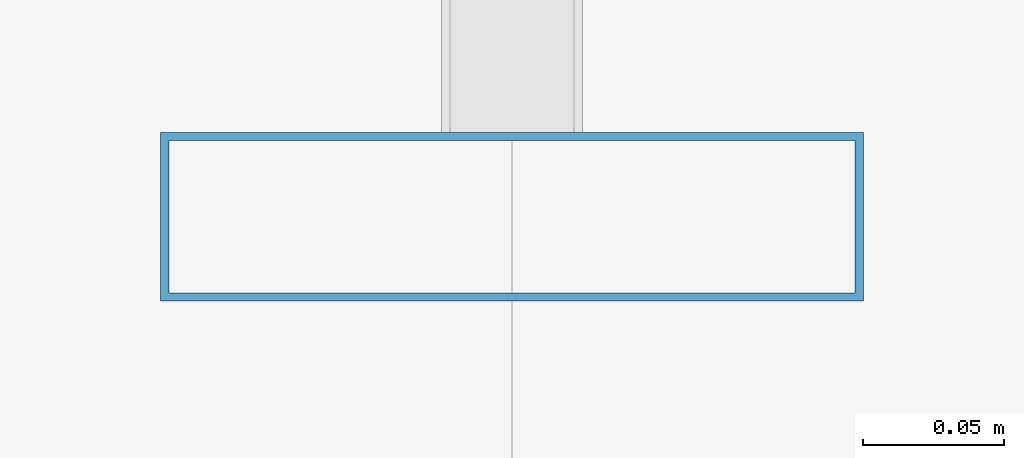
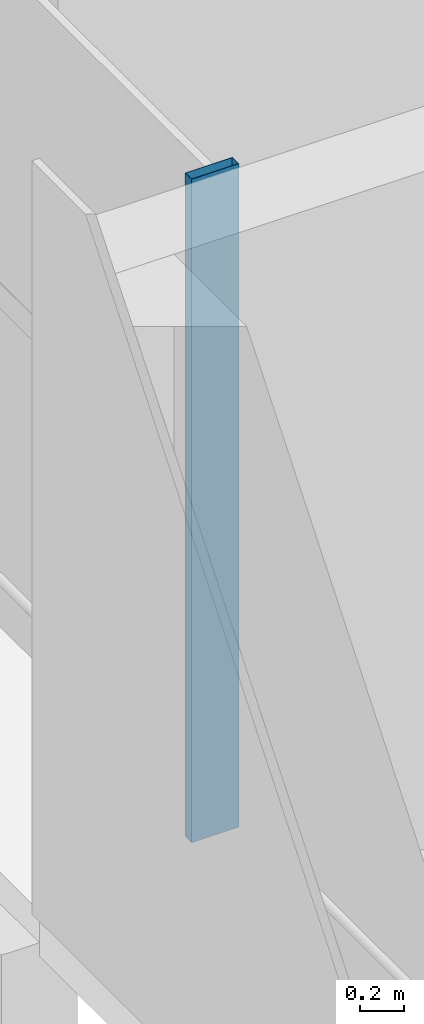
# One storey, part 7 of 17: 1 member, 1 element without a shape of its own.
"""IFC4 building model written with IfcOpenShell, lengths in metres."""

from ifc_helpers import new_model, si_unit, direction, frame, origin, origin_2d, place, context, subcontext, project, spatial, hollow_rectangle, extrude, material, material_profile, profile_set, type_object, element, aggregate, save


model = new_model("IFC4")

# Units and contexts
model_context = context("Model", 3, precision=1e-05, world=origin(), true_north=direction((0.0, 1.0)))
body_context = subcontext(model_context, "Body", "Model", "MODEL_VIEW")
ifc_project = project(units=[si_unit("LENGTHUNIT", "METRE"), si_unit("AREAUNIT", "SQUARE_METRE"), si_unit("VOLUMEUNIT", "CUBIC_METRE"), si_unit("PLANEANGLEUNIT", "RADIAN"), si_unit("MASSUNIT", "GRAM", prefix="KILO")], contexts=[model_context])

# Site, building, storey
site_placement = place(None, origin())
site = spatial("IfcSite", under=ifc_project, at=site_placement, CompositionType="ELEMENT")
building_placement = place(site_placement, origin())
building = spatial("IfcBuilding", under=site, at=building_placement, Name="Altepetl Exchange Towers", CompositionType="ELEMENT")
storey_placement = place(building_placement, frame((0.0, 0.0, 251.0)))
storey = spatial("IfcBuildingStorey", under=building, at=storey_placement, Name="L64", CompositionType="ELEMENT", Elevation=251.0)

# Curtain wall, member
ifc_material_1 = material(Name="Aluminium 6063-T6 glazing", Category="aluminium")
curtain_wall_type = type_object("IfcCurtainWallType", Name="Executive flush glazing system", PredefinedType="NOTDEFINED", material=ifc_material_1)
curtain_wall_placement = place(storey_placement, origin())
curtain_wall = element("IfcCurtainWall", 1, at=curtain_wall_placement, inside=storey, type_object=curtain_wall_type, Name="CW4 run", PredefinedType="NOTDEFINED")
ifc_material_2 = material(Name="Aluminium 6063-T6", Category="aluminium")
ifc_material_profile = material_profile(ifc_material_2, hollow_rectangle(XDim=0.06005859375, YDim=0.25, WallThickness=0.0029296875, at=origin_2d()), Name="Mullion 60x250 hollow aluminium")
ifc_profile_set = profile_set([ifc_material_profile], Name="Aluminium 6063-T6")
member_type = type_object("IfcMemberType", Name="Mullion 60x250 hollow aluminium", PredefinedType="MULLION", material=ifc_profile_set)
member_placement = place(storey_placement, frame((41.5, 58.655029296875, 0.0), z_axis=(0.0, 0.0, 1.0), x_axis=(0.0, -1.0, 0.0)))
member = element("IfcMember", 2, at=member_placement, type_object=member_type, Name="MU3 mullion", PredefinedType="MULLION", context=body_context, shape_type="SweptSolid", body=[
    extrude(hollow_rectangle(XDim=0.06005859375, YDim=0.25, WallThickness=0.0029296875, at=origin_2d()), origin(), (0.0, 0.0, 1.0), 3.699951171875),
])
aggregate(curtain_wall, [member])

save(model, "model.ifc")
